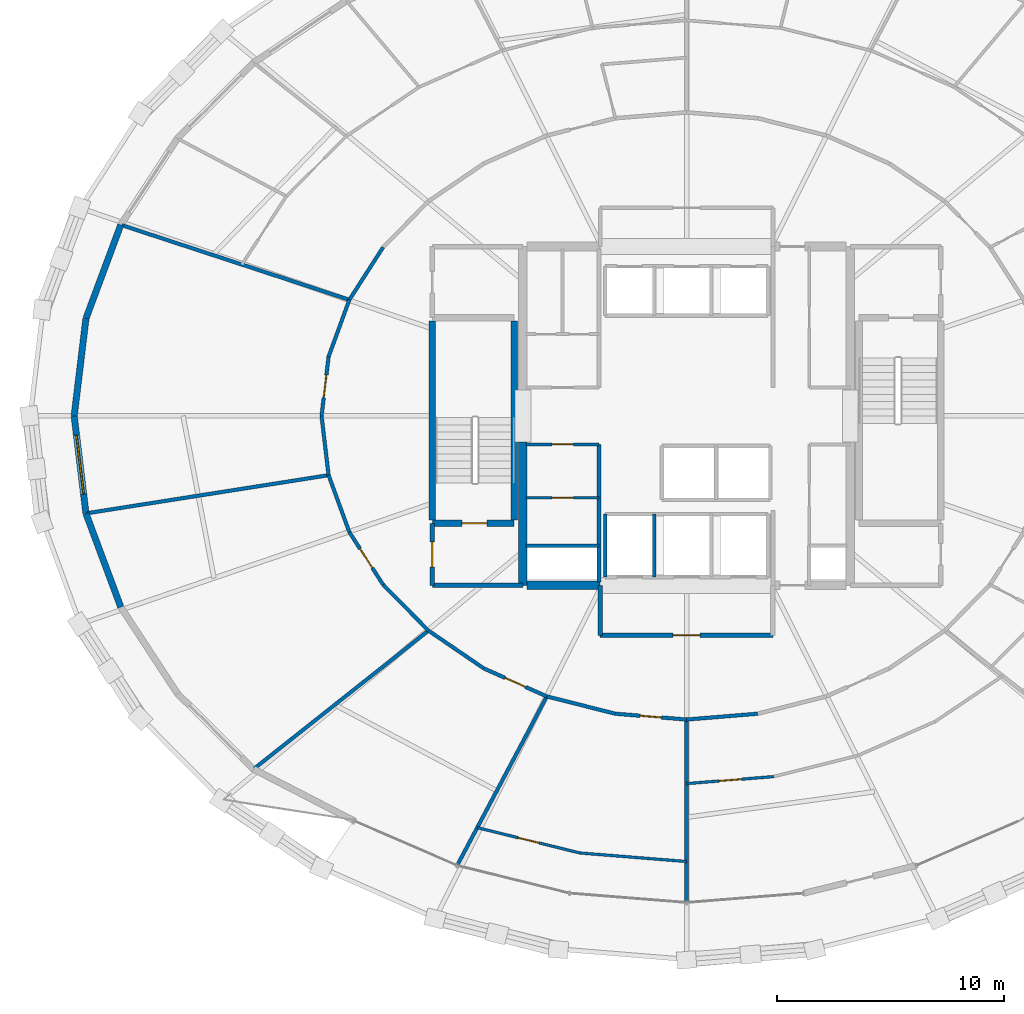
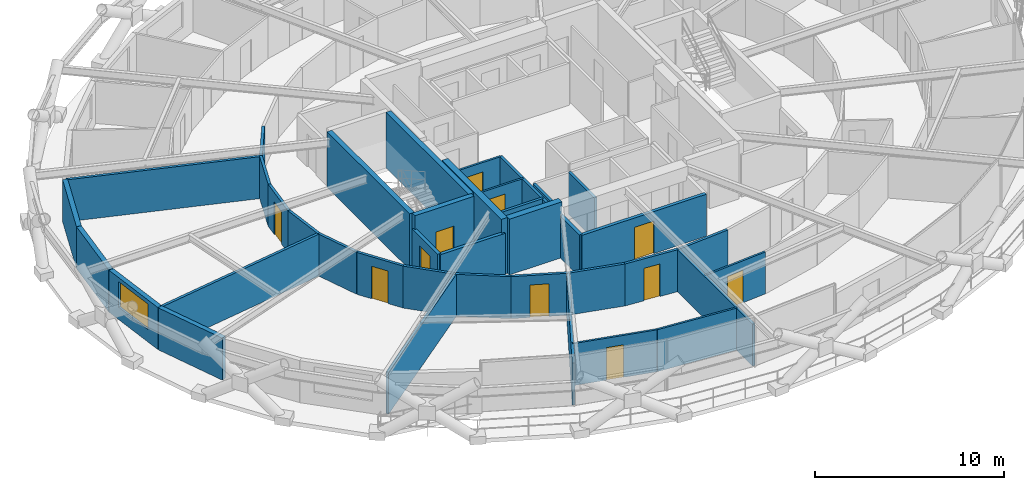
# One storey, part 15 of 23: 39 walls, 11 doors, 1 window, 12 openings.
"""IFC4 building model written with IfcOpenShell, lengths in metres."""

import ifcopenshell
import ifcopenshell.guid

model = None  # the IFC model being written
_history = None  # IfcOwnerHistory: only IFC2X3 demands one
_inside = {}  # id of a spatial element -> (the spatial element, [elements in it])
_under = {}  # id of a project, library or spatial element -> (it, [spatial elements below it])
_declared = {}  # id of a project -> (the project, [libraries it declares])
_typed = {}  # id of a type object -> (the type object, [elements of that type])
_made_of = {}  # id of a material, layer set ... -> (it, [elements and type objects made of it])


def new_model(schema):
    """Start an empty IFC model of exactly this schema.

    Asked for "IFC4X3", IfcOpenShell would pick the latest addendum, in which some entities
    have other attributes; the version numbers below select the first issue.
    IFC2X3 requires an IfcOwnerHistory on every rooted entity: one is made here for all.
    """
    global model, _history
    if schema == "IFC4X3":
        model = ifcopenshell.file(schema_version=(4, 3, 0, 0))
    else:
        model = ifcopenshell.file(schema=schema)
    _inside.clear()
    _under.clear()
    _declared.clear()
    _typed.clear()
    _made_of.clear()
    _history = None
    if model.schema == "IFC2X3":
        org = make("IfcOrganization", Name="unknown")
        user = make(
            "IfcPersonAndOrganization",
            ThePerson=make("IfcPerson", FamilyName="unknown"),
            TheOrganization=org,
        )
        app = make(
            "IfcApplication",
            ApplicationDeveloper=org,
            Version="unknown",
            ApplicationFullName="unknown",
            ApplicationIdentifier="unknown",
        )
        _history = make(
            "IfcOwnerHistory",
            OwningUser=user,
            OwningApplication=app,
            ChangeAction="ADDED",
            CreationDate=0,
        )
    return model


def make(cls, **values):
    """One entity of the class cls with the attributes given. An attribute that is None is left unset."""
    return model.create_entity(
        cls, **{name: value for name, value in values.items() if value is not None}
    )


def rooted(cls, **values):
    """An entity with a GlobalId (a new one), such as an element, a storey or a relation."""
    return make(cls, GlobalId=ifcopenshell.guid.new(), OwnerHistory=_history, **values)


def si_unit(unit_type, name, prefix=None):
    """IfcSIUnit, for example si_unit("LENGTHUNIT", "METRE", prefix="MILLI")."""
    return make("IfcSIUnit", UnitType=unit_type, Prefix=prefix, Name=name)


def assignment(units):
    """IfcUnitAssignment: the units of a project."""
    return None if units is None else make("IfcUnitAssignment", Units=units)


def point(xyz):
    """IfcCartesianPoint."""
    return None if xyz is None else make("IfcCartesianPoint", Coordinates=xyz)


def direction(xyz):
    """IfcDirection."""
    return None if xyz is None else make("IfcDirection", DirectionRatios=xyz)


def frame(location, z_axis=None, x_axis=None):
    """IfcAxis2Placement3D, a coordinate frame: its origin and axes. An axis left out is left unset."""
    return make(
        "IfcAxis2Placement3D",
        Location=point(location),
        Axis=direction(z_axis),
        RefDirection=direction(x_axis),
    )


def frame_2d(location, x_axis=None):
    """IfcAxis2Placement2D, a coordinate frame in the plane: its origin and x axis."""
    return make(
        "IfcAxis2Placement2D", Location=point(location), RefDirection=direction(x_axis)
    )


def origin():
    """The frame at (0, 0, 0) with its axes left unset."""
    return frame((0.0, 0.0, 0.0))


def place(relative_to, where):
    """IfcLocalPlacement: puts the frame where relative to a parent placement (None: the world)."""
    return make(
        "IfcLocalPlacement", PlacementRelTo=relative_to, RelativePlacement=where
    )


def context(
    kind, dimensions, precision=None, world=None, true_north=None, identifier=None
):
    """IfcGeometricRepresentationContext, for example the 3D "Model" context."""
    return make(
        "IfcGeometricRepresentationContext",
        ContextIdentifier=identifier,
        ContextType=kind,
        CoordinateSpaceDimension=dimensions,
        Precision=precision,
        WorldCoordinateSystem=world,
        TrueNorth=true_north,
    )


def subcontext(parent, identifier, kind, view, scale=None):
    """IfcGeometricRepresentationSubContext, for example "Body" below "Model"."""
    return make(
        "IfcGeometricRepresentationSubContext",
        ContextIdentifier=identifier,
        ContextType=kind,
        ParentContext=parent,
        TargetScale=scale,
        TargetView=view,
    )


def project(units=None, contexts=None):
    """IfcProject with its units and contexts."""
    return rooted(
        "IfcProject",
        Name="project",
        RepresentationContexts=contexts,
        UnitsInContext=assignment(units),
    )


def spatial(cls, under=None, at=None, **own):
    """A site, building, storey or space (cls), placed at a placement, below another one or the project."""
    s = rooted(cls, ObjectPlacement=at, **own)
    if under is not None:
        _under.setdefault(under.id(), (under, []))[1].append(s)
    return s


def profile(cls, at=None, kind="AREA", **sizes):
    """A parametric profile (cls). Its sizes go by their IFC names, for example OverallWidth=200.0."""
    return make(cls, ProfileType=kind, Position=at, **sizes)


def rectangle(**sizes):
    """IfcRectangleProfileDef."""
    return profile("IfcRectangleProfileDef", **sizes)


def extrude(swept, where, along, depth):
    """IfcExtrudedAreaSolid: the profile swept, set in the frame where, extruded along a direction by depth."""
    return make(
        "IfcExtrudedAreaSolid",
        SweptArea=swept,
        Position=where,
        ExtrudedDirection=direction(along),
        Depth=depth,
    )


def shape(context_of_items, identifier, shape_type, items):
    """IfcShapeRepresentation: the items that make up one representation, for example the "Body"."""
    return make(
        "IfcShapeRepresentation",
        ContextOfItems=context_of_items,
        RepresentationIdentifier=identifier,
        RepresentationType=shape_type,
        Items=items,
    )


def material(Name=None, Category=None):
    """IfcMaterial."""
    return make("IfcMaterial", Name=Name, Category=Category)


def layer(
    of_material, thickness, ventilated=None, Name=None, Category=None, Priority=None
):
    """IfcMaterialLayer: one layer of a wall or slab, of a material (None: an air gap)."""
    return make(
        "IfcMaterialLayer",
        Material=of_material,
        LayerThickness=thickness,
        IsVentilated=ventilated,
        Name=Name,
        Category=Category,
        Priority=Priority,
    )


def layer_set(layers, Name=None):
    """IfcMaterialLayerSet."""
    return make("IfcMaterialLayerSet", MaterialLayers=layers, LayerSetName=Name)


def made_of(thing, what):
    """Note that an element or type object is made of a material, layer set ...; save() writes the relation."""
    if what is not None:
        _made_of.setdefault(what.id(), (what, []))[1].append(thing)
    return thing


def type_object(cls, material=None, **own):
    """A type object (cls), such as IfcWallType, which elements share."""
    return made_of(rooted(cls, **own), material)


def element(
    cls,
    number,
    at=None,
    inside=None,
    cuts=None,
    type_object=None,
    material=None,
    context=None,
    identifier="Body",
    shape_type=None,
    held_by="IfcProductDefinitionShape",
    body=None,
    shapes=None,
    **own,
):
    """One element of the class cls, such as IfcWall. Its Tag is "e" and its number.

    at: its placement. inside: the storey or other place that contains it. cuts: it is an
    opening in that element (IfcRelVoidsElement). A single representation is given by context,
    identifier, shape_type and body (its items); several are given by shapes. held_by: the class
    of the entity that holds the representations. save() writes the other relations.
    """
    e = rooted(cls, Tag="e%d" % number, ObjectPlacement=at, **own)
    if body is not None:
        shapes = [shape(context, identifier, shape_type, body)]
    if shapes is not None:
        e.Representation = make(held_by, Representations=shapes)
    if inside is not None:
        _inside.setdefault(inside.id(), (inside, []))[1].append(e)
    if cuts is not None:
        rooted(
            "IfcRelVoidsElement", RelatingBuildingElement=cuts, RelatedOpeningElement=e
        )
    if type_object is not None:
        _typed.setdefault(type_object.id(), (type_object, []))[1].append(e)
    return made_of(e, material)


def fill(opening, filler):
    """IfcRelFillsElement: the door or window that sits in an opening."""
    return rooted(
        "IfcRelFillsElement",
        RelatingOpeningElement=opening,
        RelatedBuildingElement=filler,
    )


def aggregate(whole, parts):
    """IfcRelAggregates: a whole, such as a stair, and the parts it consists of."""
    return rooted("IfcRelAggregates", RelatingObject=whole, RelatedObjects=parts)


def save(model, path):
    """Write the relations noted so far, then the file.

    IfcRelAggregates (storeys below a building ...), IfcRelContainedInSpatialStructure (elements
    in a storey), IfcRelDefinesByType, IfcRelAssociatesMaterial and IfcRelDeclares: one each for
    every whole, place, type object, material and project.
    """
    for whole, parts in _under.values():
        aggregate(whole, parts)
    for where, things in _inside.values():
        rooted(
            "IfcRelContainedInSpatialStructure",
            RelatedElements=things,
            RelatingStructure=where,
        )
    for kind, things in _typed.values():
        rooted("IfcRelDefinesByType", RelatedObjects=things, RelatingType=kind)
    for what, things in _made_of.values():
        rooted("IfcRelAssociatesMaterial", RelatedObjects=things, RelatingMaterial=what)
    for by, libraries in _declared.values():
        rooted("IfcRelDeclares", RelatingContext=by, RelatedDefinitions=libraries)
    model.write(path)


model = new_model("IFC4")

# Units and contexts
model_context = context("Model", 3, precision=1e-05, world=origin(), true_north=direction((0.0, 1.0)))
body_context = subcontext(model_context, "Body", "Model", "MODEL_VIEW")
ifc_project = project(units=[si_unit("LENGTHUNIT", "METRE"), si_unit("AREAUNIT", "SQUARE_METRE"), si_unit("VOLUMEUNIT", "CUBIC_METRE"), si_unit("PLANEANGLEUNIT", "RADIAN"), si_unit("MASSUNIT", "GRAM", prefix="KILO")], contexts=[model_context])

# Site, building, storey
site_placement = place(None, origin())
site = spatial("IfcSite", under=ifc_project, at=site_placement, CompositionType="ELEMENT")
building_placement = place(site_placement, origin())
building = spatial("IfcBuilding", under=site, at=building_placement, Name="Veldorina Hangang Commons", CompositionType="ELEMENT")
storey_placement = place(building_placement, frame((0.0, 0.0, 95.199951171875)))
storey = spatial("IfcBuildingStorey", under=building, at=storey_placement, Name="L24", CompositionType="ELEMENT", Elevation=95.199951171875)

# Walls
ifc_material_1 = material(Name="Concrete C70/85", Category="concrete")
ifc_layer_1 = layer(ifc_material_1, 0.3798828125)
ifc_layer_set_1 = layer_set([ifc_layer_1], Name="Concrete C70/85")
wall_type_1 = type_object("IfcWallType", Name="CW-RC380-C70", PredefinedType="SHEAR", material=ifc_layer_set_1)
wall_1_placement = place(storey_placement, frame((24.800048828125, 16.550048828125, 0.0), z_axis=(0.0, 0.0, 1.0), x_axis=(0.0, 1.0, 0.0)))
element("IfcWall", 1, at=wall_1_placement, inside=storey, type_object=wall_type_1, Name="L24 W south core shear wall", PredefinedType="SHEAR", context=body_context, shape_type="SweptSolid", body=[
    extrude(rectangle(XDim=6.300048828125, YDim=0.3798828125, at=frame_2d((3.14990234375, 0.0))), origin(), (0.0, 0.0, 1.0), 3.60009765625),
])
wall_2_placement = place(storey_placement, frame((24.989990234375, 16.550048828125, 0.0), z_axis=(0.0, 0.0, 1.0), x_axis=(1.0, 0.0, 0.0)))
element("IfcWall", 2, at=wall_2_placement, inside=storey, type_object=wall_type_1, Name="L24 south-west core shear wall", PredefinedType="SHEAR", context=body_context, shape_type="SweptSolid", body=[
    extrude(rectangle(XDim=3.2099609375, YDim=0.3798828125, at=frame_2d((1.60498046875, 0.0))), origin(), (0.0, 0.0, 1.0), 3.60009765625),
])
ifc_material_2 = material(Name="Stone Roman Travertine", Category="masonry")
ifc_layer_2 = layer(ifc_material_2, 0.280029296875)
ifc_layer_set_2 = layer_set([ifc_layer_2], Name="Stone Roman Travertine")
wall_type_2 = type_object("IfcWallType", Name="EW-TRAV-280", PredefinedType="STANDARD", material=ifc_layer_set_2)
wall_3_placement = place(storey_placement, frame((7.120849609375, 32.404541015625, 0.0), z_axis=(0.0, 0.0, 1.0), x_axis=(-0.348632733014, -0.937259418449, 0.0)))
element("IfcWall", 3, at=wall_3_placement, inside=storey, type_object=wall_type_2, Name="L24 travertine facade wall 14", PredefinedType="STANDARD", context=body_context, shape_type="SweptSolid", body=[
    extrude(rectangle(XDim=4.395751953125, YDim=0.280029296875, at=frame_2d((2.19775390625, 0.0))), origin(), (0.0, 0.0, 1.0), 2.7099609375),
])
wall_4_placement = place(storey_placement, frame((5.58837890625, 28.28466796875, 0.0), z_axis=(0.0, 0.0, 1.0), x_axis=(-0.119925904923, -0.992782845001, 0.0)))
element("IfcWall", 4, at=wall_4_placement, inside=storey, type_object=wall_type_2, Name="L24 travertine facade wall 15", PredefinedType="STANDARD", context=body_context, shape_type="SweptSolid", body=[
    extrude(rectangle(XDim=4.31591796875, YDim=0.280029296875, at=frame_2d((2.157958984375, 0.0))), origin(), (0.0, 0.0, 1.0), 2.7099609375),
])

# Wall, opening, window
wall_5_placement = place(storey_placement, frame((5.07080078125, 24.0, 0.0), z_axis=(0.0, 0.0, 1.0), x_axis=(0.119925904923, -0.992782845001, 0.0)))
wall_5 = element("IfcWall", 5, at=wall_5_placement, inside=storey, type_object=wall_type_2, Name="L24 travertine facade wall 16", PredefinedType="STANDARD", context=body_context, shape_type="SweptSolid", body=[
    extrude(rectangle(XDim=4.31591796875, YDim=0.280029296875, at=frame_2d((2.157958984375, 0.0))), origin(), (0.0, 0.0, 1.0), 2.7099609375),
])
opening_1_placement = place(wall_5_placement, frame((0.85791015625, 0.0, 0.800048828125)))
opening_1 = element("IfcOpeningElement", 6, at=opening_1_placement, cuts=wall_5, Name="Opening W-02", PredefinedType="OPENING", context=body_context, shape_type="SweptSolid", body=[
    extrude(rectangle(XDim=2.60009765625, YDim=1.64990234375, at=frame_2d((1.300048828125, 0.824951171875))), frame((0.0, 0.14990234375, 0.0), z_axis=(0.0, -1.0, 0.0), x_axis=(1.0, 0.0, 0.0)), (0.0, 0.0, 1.0), 0.300048828125),
])
ifc_material_3 = material(Name="Glass Low-E Triple IGU", Category="glass")
window_type = type_object("IfcWindowType", Name="WIN-TWR-2600", PartitioningType="SINGLE_PANEL", PredefinedType="WINDOW", material=ifc_material_3)
window_placement = place(opening_1_placement, origin())
window = element("IfcWindow", 7, at=window_placement, inside=storey, type_object=window_type, Name="L24 facade window 16", OverallHeight=1.64990234375, OverallWidth=2.60009765625, PartitioningType="SINGLE_PANEL", PredefinedType="WINDOW", context=body_context, shape_type="SweptSolid", body=[
    extrude(rectangle(XDim=2.60009765625, YDim=1.64990234375, at=frame_2d((1.300048828125, 0.824951171875))), frame((0.0, 0.030029296875, 0.0), z_axis=(0.0, -1.0, 0.0), x_axis=(1.0, 0.0, 0.0)), (0.0, 0.0, 1.0), 0.06005859375),
])
fill(opening_1, window)

# Walls
wall_6_placement = place(storey_placement, frame((5.58837890625, 19.71533203125, 0.0), z_axis=(0.0, 0.0, 1.0), x_axis=(0.348632733014, -0.937259418449, 0.0)))
element("IfcWall", 8, at=wall_6_placement, inside=storey, type_object=wall_type_2, Name="L24 travertine facade wall 17", PredefinedType="STANDARD", context=body_context, shape_type="SweptSolid", body=[
    extrude(rectangle(XDim=4.395751953125, YDim=0.280029296875, at=frame_2d((2.19775390625, 0.0))), origin(), (0.0, 0.0, 1.0), 2.7099609375),
])
ifc_material_4 = material(Name="Concrete C50/60", Category="concrete")
ifc_layer_3 = layer(ifc_material_4, 0.300048828125)
ifc_layer_set_3 = layer_set([ifc_layer_3], Name="Concrete C50/60")
wall_type_3 = type_object("IfcWallType", Name="SW-STAIR-300", PredefinedType="SHEAR", material=ifc_layer_set_3)
for number, where, z_axis, x_axis, name in (
    (9, (20.820068359375, 19.429931640625, 0.0), (0.0, 0.0, 1.0), (0.0, 1.0, 0.0), "L24 ST1 outer stair shear wall"),
    (10, (24.419921875, 19.429931640625, 0.0), (0.0, 0.0, 1.0), (0.0, 1.0, 0.0), "L24 ST1 inner stair shear wall"),
):
    element("IfcWall", number, at=place(storey_placement, frame(where, z_axis=z_axis, x_axis=x_axis)), inside=storey, type_object=wall_type_3, Name=name, PredefinedType="SHEAR", context=body_context, shape_type="SweptSolid", body=[
        extrude(rectangle(XDim=8.739990234375, YDim=0.300048828125, at=frame_2d((4.3701171875, 0.0))), origin(), (0.0, 0.0, 1.0), 3.60009765625),
    ])

# Wall, opening, door
wall_7_placement = place(storey_placement, frame((20.820068359375, 19.280029296875, 0.0), z_axis=(0.0, 0.0, 1.0), x_axis=(1.0, 0.0, 0.0)))
wall_7 = element("IfcWall", 11, at=wall_7_placement, inside=storey, type_object=wall_type_3, Name="L24 ST1 south stair shear wall", PredefinedType="SHEAR", context=body_context, shape_type="SweptSolid", body=[
    extrude(rectangle(XDim=3.599853515625, YDim=0.300048828125, at=frame_2d((1.7998046875, 0.0))), origin(), (0.0, 0.0, 1.0), 3.60009765625),
])
opening_2_placement = place(wall_7_placement, frame((1.300048828125, 0.0, 0.0)))
opening_2 = element("IfcOpeningElement", 12, at=opening_2_placement, cuts=wall_7, Name="Opening D-08", PredefinedType="OPENING", context=body_context, shape_type="SweptSolid", body=[
    extrude(rectangle(XDim=1.10009765625, YDim=2.10009765625, at=frame_2d((0.550048828125, 1.050048828125))), frame((0.0, 0.16015625, 0.0), z_axis=(0.0, -1.0, 0.0), x_axis=(1.0, 0.0, 0.0)), (0.0, 0.0, 1.0), 0.320068359375),
])
ifc_material_5 = material(Name="Steel Fire-Rated Smoke Seal", Category="steel")
door_type_1 = type_object("IfcDoorType", Name="DR-FIRE-1100", OperationType="SINGLE_SWING_RIGHT", PredefinedType="DOOR", material=ifc_material_5)
door_1_placement = place(opening_2_placement, origin())
door_1 = element("IfcDoor", 13, at=door_1_placement, inside=storey, type_object=door_type_1, Name="L24 Special Escape Stair ST-1 door", OperationType="SINGLE_SWING_LEFT", OverallHeight=2.10009765625, OverallWidth=1.10009765625, PredefinedType="DOOR", context=body_context, shape_type="SweptSolid", body=[
    extrude(rectangle(XDim=1.10009765625, YDim=2.10009765625, at=frame_2d((0.550048828125, 1.050048828125))), frame((0.0, 0.02490234375, 0.0), z_axis=(0.0, -1.0, 0.0), x_axis=(1.0, 0.0, 0.0)), (0.0, 0.0, 1.0), 0.050048828125),
])
fill(opening_2, door_1)

# Walls
ifc_material_6 = material(Name="Gypsum Fire-Rated Twin Stud Wall", Category="gypsum")
ifc_layer_4 = layer(ifc_material_6, 0.159912109375)
ifc_layer_set_4 = layer_set([ifc_layer_4], Name="Gypsum Fire-Rated Twin Stud Wall")
wall_type_4 = type_object("IfcWallType", Name="WL-FIRE-160", PredefinedType="SOLIDWALL", material=ifc_layer_set_4)
for number, where, z_axis, x_axis, name in (
    (14, (28.419921875, 16.919921875, 0.0), (0.0, 0.0, 1.0), (0.0, 1.0, 0.0), "L24 FFL-1 west shaft wall 028"),
    (15, (30.580078125, 16.919921875, 0.0), (0.0, 0.0, 1.0), (0.0, 1.0, 0.0), "L24 FFL-1 east shaft wall 029"),
):
    element("IfcWall", number, at=place(storey_placement, frame(where, z_axis=z_axis, x_axis=x_axis)), inside=storey, type_object=wall_type_4, Name=name, PredefinedType="SOLIDWALL", context=body_context, shape_type="SweptSolid", body=[
        extrude(rectangle(XDim=2.760009765625, YDim=0.159912109375, at=frame_2d((1.3798828125, 0.0))), origin(), (0.0, 0.0, 1.0), 2.7099609375),
    ])
wall_8_placement = place(storey_placement, frame((24.949951171875, 18.300048828125, 0.0), z_axis=(0.0, 0.0, 1.0), x_axis=(1.0, 0.0, 0.0)))
element("IfcWall", 16, at=wall_8_placement, inside=storey, type_object=wall_type_4, Name="L24 Electrical riser wall 035", PredefinedType="SOLIDWALL", context=body_context, shape_type="SweptSolid", body=[
    extrude(rectangle(XDim=3.199951171875, YDim=0.159912109375, at=frame_2d((1.60009765625, 0.0))), origin(), (0.0, 0.0, 1.0), 2.7099609375),
])
wall_9_placement = place(storey_placement, frame((28.14990234375, 16.699951171875, 0.0), z_axis=(0.0, 0.0, 1.0), x_axis=(0.0, 1.0, 0.0)))
element("IfcWall", 17, at=wall_9_placement, inside=storey, type_object=wall_type_4, Name="L24 SW core inner wall 036", PredefinedType="SOLIDWALL", context=body_context, shape_type="SweptSolid", body=[
    extrude(rectangle(XDim=6.050048828125, YDim=0.159912109375, at=frame_2d((3.02490234375, 0.0))), origin(), (0.0, 0.0, 1.0), 2.7099609375),
])
wall_10_placement = place(storey_placement, frame((18.65478515625, 31.4169921875, 0.0), z_axis=(0.0, 0.0, 1.0), x_axis=(-0.540595670038, -0.841282545603, 0.0)))
element("IfcWall", 18, at=wall_10_placement, inside=storey, type_object=wall_type_4, Name="L24 Corridor outer wall 13 061", PredefinedType="SOLIDWALL", context=body_context, shape_type="SweptSolid", body=[
    extrude(rectangle(XDim=2.74365234375, YDim=0.159912109375, at=frame_2d((1.371826171875, 0.0))), origin(), (0.0, 0.0, 1.0), 2.7099609375),
])
wall_11_placement = place(storey_placement, frame((17.171630859375, 29.10888671875, 0.0), z_axis=(0.0, 0.0, 1.0), x_axis=(-0.342617982381, -0.939474809747, 0.0)))
element("IfcWall", 19, at=wall_11_placement, inside=storey, type_object=wall_type_4, Name="L24 Corridor outer wall 14 062", PredefinedType="SOLIDWALL", context=body_context, shape_type="SweptSolid", body=[
    extrude(rectangle(XDim=2.665771484375, YDim=0.159912109375, at=frame_2d((1.3330078125, 0.0))), origin(), (0.0, 0.0, 1.0), 2.7099609375),
])

# Wall, opening, door
wall_12_placement = place(storey_placement, frame((16.25830078125, 26.6044921875, 0.0), z_axis=(0.0, 0.0, 1.0), x_axis=(-0.117570353762, -0.993064555765, 0.0)))
wall_12 = element("IfcWall", 20, at=wall_12_placement, inside=storey, type_object=wall_type_4, Name="L24 Corridor outer wall 15 063", PredefinedType="SOLIDWALL", context=body_context, shape_type="SweptSolid", body=[
    extrude(rectangle(XDim=2.622802734375, YDim=0.159912109375, at=frame_2d((1.3115234375, 0.0))), origin(), (0.0, 0.0, 1.0), 2.7099609375),
])
opening_3_placement = place(wall_12_placement, frame((0.811279296875, 0.0, 0.0)))
opening_3 = element("IfcOpeningElement", 21, at=opening_3_placement, cuts=wall_12, Name="Opening D-05", PredefinedType="OPENING", context=body_context, shape_type="SweptSolid", body=[
    extrude(rectangle(XDim=1.0, YDim=2.10009765625, at=frame_2d((0.5, 1.050048828125))), frame((0.0, 0.08984375, 0.0), z_axis=(0.0, -1.0, 0.0), x_axis=(1.0, 0.0, 0.0)), (0.0, 0.0, 1.0), 0.179931640625),
])
ifc_material_7 = material(Name="Timber Solid Core Acoustic", Category="wood")
door_type_2 = type_object("IfcDoorType", Name="DR-INT-1000", OperationType="SINGLE_SWING_RIGHT", PredefinedType="DOOR", material=ifc_material_7)
door_2_placement = place(opening_3_placement, origin())
door_2 = element("IfcDoor", 22, at=door_2_placement, inside=storey, type_object=door_type_2, Name="L24 Floor Study Room 5 door 046", OperationType="SINGLE_SWING_RIGHT", OverallHeight=2.10009765625, OverallWidth=1.0, PredefinedType="DOOR", context=body_context, shape_type="SweptSolid", body=[
    extrude(rectangle(XDim=1.0, YDim=2.10009765625, at=frame_2d((0.5, 1.050048828125))), frame((0.0, 0.02490234375, 0.0), z_axis=(0.0, -1.0, 0.0), x_axis=(1.0, 0.0, 0.0)), (0.0, 0.0, 1.0), 0.050048828125),
])
fill(opening_3, door_2)

# Walls
wall_13_placement = place(storey_placement, frame((15.949951171875, 24.0, 0.0), z_axis=(0.0, 0.0, 1.0), x_axis=(0.117570353762, -0.993064555765, 0.0)))
element("IfcWall", 23, at=wall_13_placement, inside=storey, type_object=wall_type_4, Name="L24 Corridor outer wall 16 064", PredefinedType="SOLIDWALL", context=body_context, shape_type="SweptSolid", body=[
    extrude(rectangle(XDim=2.622802734375, YDim=0.159912109375, at=frame_2d((1.3115234375, 0.0))), origin(), (0.0, 0.0, 1.0), 2.7099609375),
])
wall_14_placement = place(storey_placement, frame((16.25830078125, 21.3955078125, 0.0), z_axis=(0.0, 0.0, 1.0), x_axis=(0.342617982381, -0.939474809747, 0.0)))
element("IfcWall", 24, at=wall_14_placement, inside=storey, type_object=wall_type_4, Name="L24 Corridor outer wall 17 065", PredefinedType="SOLIDWALL", context=body_context, shape_type="SweptSolid", body=[
    extrude(rectangle(XDim=2.665771484375, YDim=0.159912109375, at=frame_2d((1.3330078125, 0.0))), origin(), (0.0, 0.0, 1.0), 2.7099609375),
])

# Wall, opening, door
wall_15_placement = place(storey_placement, frame((17.171630859375, 18.89111328125, 0.0), z_axis=(0.0, 0.0, 1.0), x_axis=(0.540595670038, -0.841282545603, 0.0)))
wall_15 = element("IfcWall", 25, at=wall_15_placement, inside=storey, type_object=wall_type_4, Name="L24 Corridor outer wall 18 066", PredefinedType="SOLIDWALL", context=body_context, shape_type="SweptSolid", body=[
    extrude(rectangle(XDim=2.74365234375, YDim=0.159912109375, at=frame_2d((1.371826171875, 0.0))), origin(), (0.0, 0.0, 1.0), 2.7099609375),
])
opening_4_placement = place(wall_15_placement, frame((0.871826171875, 0.0, 0.0)))
opening_4 = element("IfcOpeningElement", 26, at=opening_4_placement, cuts=wall_15, Name="Opening D-05", PredefinedType="OPENING", context=body_context, shape_type="SweptSolid", body=[
    extrude(rectangle(XDim=1.0, YDim=2.10009765625, at=frame_2d((0.5, 1.050048828125))), frame((0.0, 0.08984375, 0.0), z_axis=(0.0, -1.0, 0.0), x_axis=(1.0, 0.0, 0.0)), (0.0, 0.0, 1.0), 0.179931640625),
])
door_3_placement = place(opening_4_placement, origin())
door_3 = element("IfcDoor", 27, at=door_3_placement, inside=storey, type_object=door_type_2, Name="L24 Floor Study Room 6 door 047", OperationType="SINGLE_SWING_LEFT", OverallHeight=2.10009765625, OverallWidth=1.0, PredefinedType="DOOR", context=body_context, shape_type="SweptSolid", body=[
    extrude(rectangle(XDim=1.0, YDim=2.10009765625, at=frame_2d((0.5, 1.050048828125))), frame((0.0, 0.02490234375, 0.0), z_axis=(0.0, -1.0, 0.0), x_axis=(1.0, 0.0, 0.0)), (0.0, 0.0, 1.0), 0.050048828125),
])
fill(opening_4, door_3)

# Walls
wall_16_placement = place(storey_placement, frame((18.65478515625, 16.5830078125, 0.0), z_axis=(0.0, 0.0, 1.0), x_axis=(0.702366174226, -0.711815816981, 0.0)))
element("IfcWall", 28, at=wall_16_placement, inside=storey, type_object=wall_type_4, Name="L24 Corridor outer wall 19 067", PredefinedType="SOLIDWALL", context=body_context, shape_type="SweptSolid", body=[
    extrude(rectangle(XDim=2.842041015625, YDim=0.159912109375, at=frame_2d((1.4208984375, 0.0))), origin(), (0.0, 0.0, 1.0), 2.7099609375),
])
wall_17_placement = place(storey_placement, frame((20.65087890625, 14.56005859375, 0.0), z_axis=(0.0, 0.0, 1.0), x_axis=(0.825929039072, -0.563774088104, 0.0)))
element("IfcWall", 29, at=wall_17_placement, inside=storey, type_object=wall_type_4, Name="L24 Corridor outer wall 20 068", PredefinedType="SOLIDWALL", context=body_context, shape_type="SweptSolid", body=[
    extrude(rectangle(XDim=2.94482421875, YDim=0.159912109375, at=frame_2d((1.472412109375, 0.0))), origin(), (0.0, 0.0, 1.0), 2.7099609375),
])

# Wall, opening, door
wall_18_placement = place(storey_placement, frame((23.0830078125, 12.89990234375, 0.0), z_axis=(0.0, 0.0, 1.0), x_axis=(0.913768445178, -0.406235434936, 0.0)))
wall_18 = element("IfcWall", 30, at=wall_18_placement, inside=storey, type_object=wall_type_4, Name="L24 Corridor outer wall 21 069", PredefinedType="SOLIDWALL", context=body_context, shape_type="SweptSolid", body=[
    extrude(rectangle(XDim=3.036865234375, YDim=0.159912109375, at=frame_2d((1.5185546875, 0.0))), origin(), (0.0, 0.0, 1.0), 2.7099609375),
])
opening_5_placement = place(wall_18_placement, frame((1.018310546875, 0.0, 0.0)))
opening_5 = element("IfcOpeningElement", 31, at=opening_5_placement, cuts=wall_18, Name="Opening D-05", PredefinedType="OPENING", context=body_context, shape_type="SweptSolid", body=[
    extrude(rectangle(XDim=1.0, YDim=2.10009765625, at=frame_2d((0.5, 1.050048828125))), frame((0.0, 0.08984375, 0.0), z_axis=(0.0, -1.0, 0.0), x_axis=(1.0, 0.0, 0.0)), (0.0, 0.0, 1.0), 0.179931640625),
])
door_4_placement = place(opening_5_placement, origin())
door_4 = element("IfcDoor", 32, at=door_4_placement, inside=storey, type_object=door_type_2, Name="L24 Seminar Focus Room 7 door 048", OperationType="SINGLE_SWING_RIGHT", OverallHeight=2.10009765625, OverallWidth=1.0, PredefinedType="DOOR", context=body_context, shape_type="SweptSolid", body=[
    extrude(rectangle(XDim=1.0, YDim=2.10009765625, at=frame_2d((0.5, 1.050048828125))), frame((0.0, 0.02490234375, 0.0), z_axis=(0.0, -1.0, 0.0), x_axis=(1.0, 0.0, 0.0)), (0.0, 0.0, 1.0), 0.050048828125),
])
fill(opening_5, door_4)

# Wall
wall_19_placement = place(storey_placement, frame((25.85791015625, 11.666259765625, 0.0), z_axis=(0.0, 0.0, 1.0), x_axis=(0.969608333194, -0.244662380029, 0.0)))
element("IfcWall", 33, at=wall_19_placement, inside=storey, type_object=wall_type_4, Name="L24 Corridor outer wall 22 070", PredefinedType="SOLIDWALL", context=body_context, shape_type="SweptSolid", body=[
    extrude(rectangle(XDim=3.10546875, YDim=0.159912109375, at=frame_2d((1.552734375, 0.0))), origin(), (0.0, 0.0, 1.0), 2.7099609375),
])

# Wall, opening, door
wall_20_placement = place(storey_placement, frame((28.868896484375, 10.906494140625, 0.0), z_axis=(0.0, 0.0, 1.0), x_axis=(0.996658973252, -0.081675522876, 0.0)))
wall_20 = element("IfcWall", 34, at=wall_20_placement, inside=storey, type_object=wall_type_4, Name="L24 Corridor outer wall 23 071", PredefinedType="SOLIDWALL", context=body_context, shape_type="SweptSolid", body=[
    extrude(rectangle(XDim=3.1416015625, YDim=0.159912109375, at=frame_2d((1.57080078125, 0.0))), origin(), (0.0, 0.0, 1.0), 2.7099609375),
])
opening_6_placement = place(wall_20_placement, frame((1.095703125, 0.0, 0.0)))
opening_6 = element("IfcOpeningElement", 35, at=opening_6_placement, cuts=wall_20, Name="Opening D-02", PredefinedType="OPENING", context=body_context, shape_type="SweptSolid", body=[
    extrude(rectangle(XDim=0.949951171875, YDim=2.10009765625, at=frame_2d((0.47509765625, 1.050048828125))), frame((0.0, 0.08984375, 0.0), z_axis=(0.0, -1.0, 0.0), x_axis=(1.0, 0.0, 0.0)), (0.0, 0.0, 1.0), 0.179931640625),
])
door_type_3 = type_object("IfcDoorType", Name="DR-INT-950", OperationType="SINGLE_SWING_LEFT", PredefinedType="DOOR", material=ifc_material_7)
door_5_placement = place(opening_6_placement, origin())
door_5 = element("IfcDoor", 36, at=door_5_placement, inside=storey, type_object=door_type_3, Name="L24 Linen drying store door 049", OperationType="SINGLE_SWING_LEFT", OverallHeight=2.10009765625, OverallWidth=0.949951171875, PredefinedType="DOOR", context=body_context, shape_type="SweptSolid", body=[
    extrude(rectangle(XDim=0.949951171875, YDim=2.10009765625, at=frame_2d((0.47509765625, 1.050048828125))), frame((0.0, 0.02490234375, 0.0), z_axis=(0.0, -1.0, 0.0), x_axis=(1.0, 0.0, 0.0)), (0.0, 0.0, 1.0), 0.050048828125),
])
fill(opening_6, door_5)

# Walls
wall_21_placement = place(storey_placement, frame((32.0, 10.64990234375, 0.0), z_axis=(0.0, 0.0, 1.0), x_axis=(0.996658973252, 0.081675522876, 0.0)))
element("IfcWall", 37, at=wall_21_placement, inside=storey, type_object=wall_type_4, Name="L24 Corridor outer wall 24 072", PredefinedType="SOLIDWALL", context=body_context, shape_type="SweptSolid", body=[
    extrude(rectangle(XDim=3.1416015625, YDim=0.159912109375, at=frame_2d((1.57080078125, 0.0))), origin(), (0.0, 0.0, 1.0), 2.7099609375),
])
wall_22_placement = place(storey_placement, frame((32.0, 10.64990234375, 0.0), z_axis=(0.0, 0.0, 1.0), x_axis=(0.0, -1.0, 0.0)))
element("IfcWall", 38, at=wall_22_placement, inside=storey, type_object=wall_type_4, Name="L24 Unit party wall 24 080", PredefinedType="SOLIDWALL", context=body_context, shape_type="SweptSolid", body=[
    extrude(rectangle(XDim=8.002197265625, YDim=0.159912109375, at=frame_2d((4.0009765625, 0.0))), origin(), (0.0, 0.0, 1.0), 2.7099609375),
])
wall_23_placement = place(storey_placement, frame((17.171630859375, 29.10888671875, 0.0), z_axis=(0.0, 0.0, 1.0), x_axis=(-0.950223350547, 0.311569549339, 0.0)))
element("IfcWall", 39, at=wall_23_placement, inside=storey, type_object=wall_type_4, Name="L24 Unit party wall 14 127", PredefinedType="SOLIDWALL", context=body_context, shape_type="SweptSolid", body=[
    extrude(rectangle(XDim=10.52734375, YDim=0.159912109375, at=frame_2d((5.263671875, 0.0))), origin(), (0.0, 0.0, 1.0), 2.7099609375),
])
wall_24_placement = place(storey_placement, frame((16.25830078125, 21.3955078125, 0.0), z_axis=(0.0, 0.0, 1.0), x_axis=(-0.987828423439, -0.155547439211, 0.0)))
element("IfcWall", 40, at=wall_24_placement, inside=storey, type_object=wall_type_4, Name="L24 Unit party wall 17 128", PredefinedType="SOLIDWALL", context=body_context, shape_type="SweptSolid", body=[
    extrude(rectangle(XDim=10.75146484375, YDim=0.159912109375, at=frame_2d((5.375732421875, 0.0))), origin(), (0.0, 0.0, 1.0), 2.7099609375),
])
wall_25_placement = place(storey_placement, frame((20.65087890625, 14.56005859375, 0.0), z_axis=(0.0, 0.0, 1.0), x_axis=(-0.784047853106, -0.620700381859, 0.0)))
element("IfcWall", 41, at=wall_25_placement, inside=storey, type_object=wall_type_4, Name="L24 Unit party wall 20 129", PredefinedType="SOLIDWALL", context=body_context, shape_type="SweptSolid", body=[
    extrude(rectangle(XDim=9.76123046875, YDim=0.159912109375, at=frame_2d((4.880615234375, 0.0))), origin(), (0.0, 0.0, 1.0), 2.7099609375),
])
wall_26_placement = place(storey_placement, frame((25.85791015625, 11.666259765625, 0.0), z_axis=(0.0, 0.0, 1.0), x_axis=(-0.468857429223, -0.883273859605, 0.0)))
element("IfcWall", 42, at=wall_26_placement, inside=storey, type_object=wall_type_4, Name="L24 Unit party wall 22 130", PredefinedType="SOLIDWALL", context=body_context, shape_type="SweptSolid", body=[
    extrude(rectangle(XDim=8.37255859375, YDim=0.159912109375, at=frame_2d((4.186279296875, 0.0))), origin(), (0.0, 0.0, 1.0), 2.7099609375),
])

# Wall, opening, door
ifc_material_8 = material(Name="Concrete Blockwork Fire Wall C30/37", Category="masonry")
ifc_layer_5 = layer(ifc_material_8, 0.199951171875)
ifc_layer_set_5 = layer_set([ifc_layer_5], Name="Concrete Blockwork Fire Wall C30/37")
wall_type_5 = type_object("IfcWallType", Name="WL-FIRE-200", PredefinedType="SOLIDWALL", material=ifc_layer_set_5)
wall_27_placement = place(storey_placement, frame((20.820068359375, 16.550048828125, 0.0), z_axis=(0.0, 0.0, 1.0), x_axis=(0.0, 1.0, 0.0)))
wall_27 = element("IfcWall", 43, at=wall_27_placement, inside=storey, type_object=wall_type_5, Name="L24 West vestibule outer wall 001", PredefinedType="SOLIDWALL", context=body_context, shape_type="SweptSolid", body=[
    extrude(rectangle(XDim=2.72998046875, YDim=0.199951171875, at=frame_2d((1.364990234375, 0.0))), origin(), (0.0, 0.0, 1.0), 2.7099609375),
])
opening_7_placement = place(wall_27_placement, frame((0.81494140625, 0.0, 0.0)))
opening_7 = element("IfcOpeningElement", 44, at=opening_7_placement, cuts=wall_27, Name="Opening D-08", PredefinedType="OPENING", context=body_context, shape_type="SweptSolid", body=[
    extrude(rectangle(XDim=1.10009765625, YDim=2.10009765625, at=frame_2d((0.550048828125, 1.050048828125))), frame((0.0, 0.10986328125, 0.0), z_axis=(0.0, -1.0, 0.0), x_axis=(1.0, 0.0, 0.0)), (0.0, 0.0, 1.0), 0.219970703125),
])
door_6_placement = place(opening_7_placement, origin())
door_6 = element("IfcDoor", 45, at=door_6_placement, inside=storey, type_object=door_type_1, Name="L24 West vestibule west door 001", OperationType="SINGLE_SWING_LEFT", OverallHeight=2.10009765625, OverallWidth=1.10009765625, PredefinedType="DOOR", context=body_context, shape_type="SweptSolid", body=[
    extrude(rectangle(XDim=1.10009765625, YDim=2.10009765625, at=frame_2d((0.550048828125, 1.050048828125))), frame((0.0, 0.02490234375, 0.0), z_axis=(0.0, -1.0, 0.0), x_axis=(1.0, 0.0, 0.0)), (0.0, 0.0, 1.0), 0.050048828125),
])
fill(opening_7, door_6)

# Walls
wall_28_placement = place(storey_placement, frame((20.820068359375, 16.550048828125, 0.0), z_axis=(0.0, 0.0, 1.0), x_axis=(1.0, 0.0, 0.0)))
element("IfcWall", 46, at=wall_28_placement, inside=storey, type_object=wall_type_5, Name="L24 West vestibule south wall 002", PredefinedType="SOLIDWALL", context=body_context, shape_type="SweptSolid", body=[
    extrude(rectangle(XDim=3.97998046875, YDim=0.199951171875, at=frame_2d((1.989990234375, 0.0))), origin(), (0.0, 0.0, 1.0), 2.7099609375),
])
wall_29_placement = place(storey_placement, frame((28.199951171875, 14.35009765625, 0.0), z_axis=(0.0, 0.0, 1.0), x_axis=(0.0, 1.0, 0.0)))
element("IfcWall", 47, at=wall_29_placement, inside=storey, type_object=wall_type_5, Name="L24 FF lobby west wall 012", PredefinedType="SOLIDWALL", context=body_context, shape_type="SweptSolid", body=[
    extrude(rectangle(XDim=2.199951171875, YDim=0.199951171875, at=frame_2d((1.10009765625, 0.0))), origin(), (0.0, 0.0, 1.0), 2.7099609375),
])

# Wall, opening, door
wall_30_placement = place(storey_placement, frame((28.199951171875, 14.35009765625, 0.0), z_axis=(0.0, 0.0, 1.0), x_axis=(1.0, 0.0, 0.0)))
wall_30 = element("IfcWall", 48, at=wall_30_placement, inside=storey, type_object=wall_type_5, Name="L24 FF lobby south wall 014", PredefinedType="SOLIDWALL", context=body_context, shape_type="SweptSolid", body=[
    extrude(rectangle(XDim=7.60009765625, YDim=0.199951171875, at=frame_2d((3.800048828125, 0.0))), origin(), (0.0, 0.0, 1.0), 2.7099609375),
])
opening_8_placement = place(wall_30_placement, frame((3.199951171875, 0.0, 0.0)))
opening_8 = element("IfcOpeningElement", 49, at=opening_8_placement, cuts=wall_30, Name="Opening D-09", PredefinedType="OPENING", context=body_context, shape_type="SweptSolid", body=[
    extrude(rectangle(XDim=1.199951171875, YDim=2.10009765625, at=frame_2d((0.60009765625, 1.050048828125))), frame((0.0, 0.10986328125, 0.0), z_axis=(0.0, -1.0, 0.0), x_axis=(1.0, 0.0, 0.0)), (0.0, 0.0, 1.0), 0.219970703125),
])
ifc_material_9 = material(Name="Steel Fire-Rated Corridor Door", Category="steel")
door_type_4 = type_object("IfcDoorType", Name="DR-FIRE-1200", OperationType="SINGLE_SWING_LEFT", PredefinedType="DOOR", material=ifc_material_9)
door_7_placement = place(opening_8_placement, origin())
door_7 = element("IfcDoor", 50, at=door_7_placement, inside=storey, type_object=door_type_4, Name="L24 FF lobby south corridor door 005", OperationType="SINGLE_SWING_LEFT", OverallHeight=2.10009765625, OverallWidth=1.199951171875, PredefinedType="DOOR", context=body_context, shape_type="SweptSolid", body=[
    extrude(rectangle(XDim=1.199951171875, YDim=2.10009765625, at=frame_2d((0.60009765625, 1.050048828125))), frame((0.0, 0.02490234375, 0.0), z_axis=(0.0, -1.0, 0.0), x_axis=(1.0, 0.0, 0.0)), (0.0, 0.0, 1.0), 0.050048828125),
])
fill(opening_8, door_7)

ifc_material_10 = material(Name="Gypsum Acoustic Stud Partition", Category="gypsum")
ifc_layer_6 = layer(ifc_material_10, 0.1201171875)
ifc_layer_set_6 = layer_set([ifc_layer_6], Name="Gypsum Acoustic Stud Partition")
wall_type_6 = type_object("IfcWallType", Name="WL-PART-120", PredefinedType="PARTITIONING", material=ifc_layer_set_6)
wall_31_placement = place(storey_placement, frame((24.949951171875, 22.75, 0.0), z_axis=(0.0, 0.0, 1.0), x_axis=(1.0, 0.0, 0.0)))
wall_31 = element("IfcWall", 51, at=wall_31_placement, inside=storey, type_object=wall_type_6, Name="L24 SW service north wall 040", PredefinedType="PARTITIONING", context=body_context, shape_type="SweptSolid", body=[
    extrude(rectangle(XDim=3.199951171875, YDim=0.1201171875, at=frame_2d((1.60009765625, 0.0))), origin(), (0.0, 0.0, 1.0), 2.7099609375),
])
opening_9_placement = place(wall_31_placement, frame((1.125, 0.0, 0.0)))
opening_9 = element("IfcOpeningElement", 52, at=opening_9_placement, cuts=wall_31, Name="Opening D-02", PredefinedType="OPENING", context=body_context, shape_type="SweptSolid", body=[
    extrude(rectangle(XDim=0.949951171875, YDim=2.10009765625, at=frame_2d((0.47509765625, 1.050048828125))), frame((0.0, 0.070068359375, 0.0), z_axis=(0.0, -1.0, 0.0), x_axis=(1.0, 0.0, 0.0)), (0.0, 0.0, 1.0), 0.14013671875),
])
door_8_placement = place(opening_9_placement, origin())
door_8 = element("IfcDoor", 53, at=door_8_placement, inside=storey, type_object=door_type_3, Name="L24 Recycling room door 016", OperationType="SINGLE_SWING_RIGHT", OverallHeight=2.10009765625, OverallWidth=0.949951171875, PredefinedType="DOOR", context=body_context, shape_type="SweptSolid", body=[
    extrude(rectangle(XDim=0.949951171875, YDim=2.10009765625, at=frame_2d((0.47509765625, 1.050048828125))), frame((0.0, 0.02490234375, 0.0), z_axis=(0.0, -1.0, 0.0), x_axis=(1.0, 0.0, 0.0)), (0.0, 0.0, 1.0), 0.050048828125),
])
fill(opening_9, door_8)

wall_32_placement = place(storey_placement, frame((24.949951171875, 20.39990234375, 0.0), z_axis=(0.0, 0.0, 1.0), x_axis=(1.0, 0.0, 0.0)))
wall_32 = element("IfcWall", 54, at=wall_32_placement, inside=storey, type_object=wall_type_6, Name="L24 SW horizontal split 047", PredefinedType="PARTITIONING", context=body_context, shape_type="SweptSolid", body=[
    extrude(rectangle(XDim=3.199951171875, YDim=0.1201171875, at=frame_2d((1.60009765625, 0.0))), origin(), (0.0, 0.0, 1.0), 2.7099609375),
])
opening_10_placement = place(wall_32_placement, frame((1.125, 0.0, 0.0)))
opening_10 = element("IfcOpeningElement", 55, at=opening_10_placement, cuts=wall_32, Name="Opening D-02", PredefinedType="OPENING", context=body_context, shape_type="SweptSolid", body=[
    extrude(rectangle(XDim=0.949951171875, YDim=2.10009765625, at=frame_2d((0.47509765625, 1.050048828125))), frame((0.0, 0.070068359375, 0.0), z_axis=(0.0, -1.0, 0.0), x_axis=(1.0, 0.0, 0.0)), (0.0, 0.0, 1.0), 0.14013671875),
])
door_9_placement = place(opening_10_placement, origin())
door_9 = element("IfcDoor", 56, at=door_9_placement, inside=storey, type_object=door_type_3, Name="L24 Archive closet door 017", OperationType="SINGLE_SWING_LEFT", OverallHeight=2.10009765625, OverallWidth=0.949951171875, PredefinedType="DOOR", context=body_context, shape_type="SweptSolid", body=[
    extrude(rectangle(XDim=0.949951171875, YDim=2.10009765625, at=frame_2d((0.47509765625, 1.050048828125))), frame((0.0, 0.02490234375, 0.0), z_axis=(0.0, -1.0, 0.0), x_axis=(1.0, 0.0, 0.0)), (0.0, 0.0, 1.0), 0.050048828125),
])
fill(opening_10, door_9)

wall_33_placement = place(storey_placement, frame((32.0, 7.831787109375, 0.0), z_axis=(0.0, 0.0, 1.0), x_axis=(0.996738571309, 0.080698330005, 0.0)))
wall_33 = element("IfcWall", 57, at=wall_33_placement, inside=storey, type_object=wall_type_6, Name="L24 Lounge alcove split 0 081", PredefinedType="PARTITIONING", context=body_context, shape_type="SweptSolid", body=[
    extrude(rectangle(XDim=3.84814453125, YDim=0.1201171875, at=frame_2d((1.924072265625, 0.0))), origin(), (0.0, 0.0, 1.0), 2.7099609375),
])
opening_11_placement = place(wall_33_placement, frame((1.42431640625, 0.0, 0.0)))
opening_11 = element("IfcOpeningElement", 58, at=opening_11_placement, cuts=wall_33, Name="Opening D-05", PredefinedType="OPENING", context=body_context, shape_type="SweptSolid", body=[
    extrude(rectangle(XDim=1.0, YDim=2.10009765625, at=frame_2d((0.5, 1.050048828125))), frame((0.0, 0.070068359375, 0.0), z_axis=(0.0, -1.0, 0.0), x_axis=(1.0, 0.0, 0.0)), (0.0, 0.0, 1.0), 0.14013671875),
])
door_10_placement = place(opening_11_placement, origin())
door_10 = element("IfcDoor", 59, at=door_10_placement, inside=storey, type_object=door_type_2, Name="L24 Commons lounge door 021", OperationType="SINGLE_SWING_LEFT", OverallHeight=2.10009765625, OverallWidth=1.0, PredefinedType="DOOR", context=body_context, shape_type="SweptSolid", body=[
    extrude(rectangle(XDim=1.0, YDim=2.10009765625, at=frame_2d((0.5, 1.050048828125))), frame((0.0, 0.02490234375, 0.0), z_axis=(0.0, -1.0, 0.0), x_axis=(1.0, 0.0, 0.0)), (0.0, 0.0, 1.0), 0.050048828125),
])
fill(opening_11, door_10)

wall_34_placement = place(storey_placement, frame((22.7958984375, 5.8974609375, 0.0), z_axis=(0.0, 0.0, 1.0), x_axis=(0.970794067923, -0.239914313215, 0.0)))
wall_34 = element("IfcWall", 60, at=wall_34_placement, inside=storey, type_object=wall_type_6, Name="L24 Laundry split 0 131", PredefinedType="PARTITIONING", context=body_context, shape_type="SweptSolid", body=[
    extrude(rectangle(XDim=4.6474609375, YDim=0.1201171875, at=frame_2d((2.32373046875, 0.0))), origin(), (0.0, 0.0, 1.0), 2.7099609375),
])
opening_12_placement = place(wall_34_placement, frame((1.848876953125, 0.0, 0.0)))
opening_12 = element("IfcOpeningElement", 61, at=opening_12_placement, cuts=wall_34, Name="Opening D-02", PredefinedType="OPENING", context=body_context, shape_type="SweptSolid", body=[
    extrude(rectangle(XDim=0.949951171875, YDim=2.10009765625, at=frame_2d((0.47509765625, 1.050048828125))), frame((0.0, 0.070068359375, 0.0), z_axis=(0.0, -1.0, 0.0), x_axis=(1.0, 0.0, 0.0)), (0.0, 0.0, 1.0), 0.14013671875),
])
door_11_placement = place(opening_12_placement, origin())
door_11 = element("IfcDoor", 62, at=door_11_placement, inside=storey, type_object=door_type_3, Name="L24 Resident laundry inner door 050", OperationType="SINGLE_SWING_RIGHT", OverallHeight=2.10009765625, OverallWidth=0.949951171875, PredefinedType="DOOR", context=body_context, shape_type="SweptSolid", body=[
    extrude(rectangle(XDim=0.949951171875, YDim=2.10009765625, at=frame_2d((0.47509765625, 1.050048828125))), frame((0.0, 0.02490234375, 0.0), z_axis=(0.0, -1.0, 0.0), x_axis=(1.0, 0.0, 0.0)), (0.0, 0.0, 1.0), 0.050048828125),
])
fill(opening_12, door_11)

# Wall
wall_35_placement = place(storey_placement, frame((27.3076171875, 4.782470703125, 0.0), z_axis=(0.0, 0.0, 1.0), x_axis=(0.996797113243, -0.079971964028, 0.0)))
element("IfcWall", 63, at=wall_35_placement, inside=storey, type_object=wall_type_6, Name="L24 Laundry split 1 132", PredefinedType="PARTITIONING", context=body_context, shape_type="SweptSolid", body=[
    extrude(rectangle(XDim=4.70751953125, YDim=0.1201171875, at=frame_2d((2.353759765625, 0.0))), origin(), (0.0, 0.0, 1.0), 2.7099609375),
])

save(model, "model.ifc")
